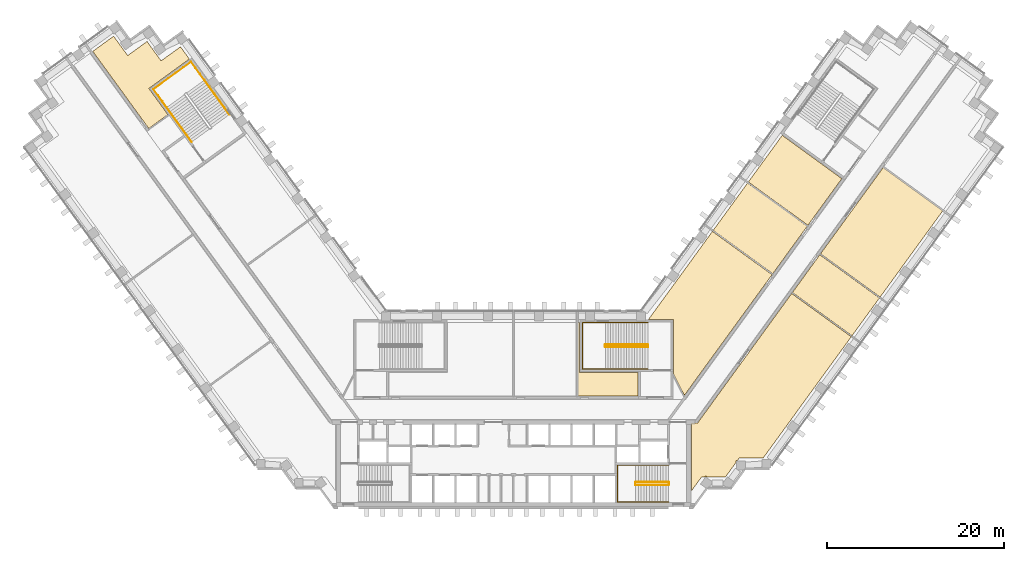
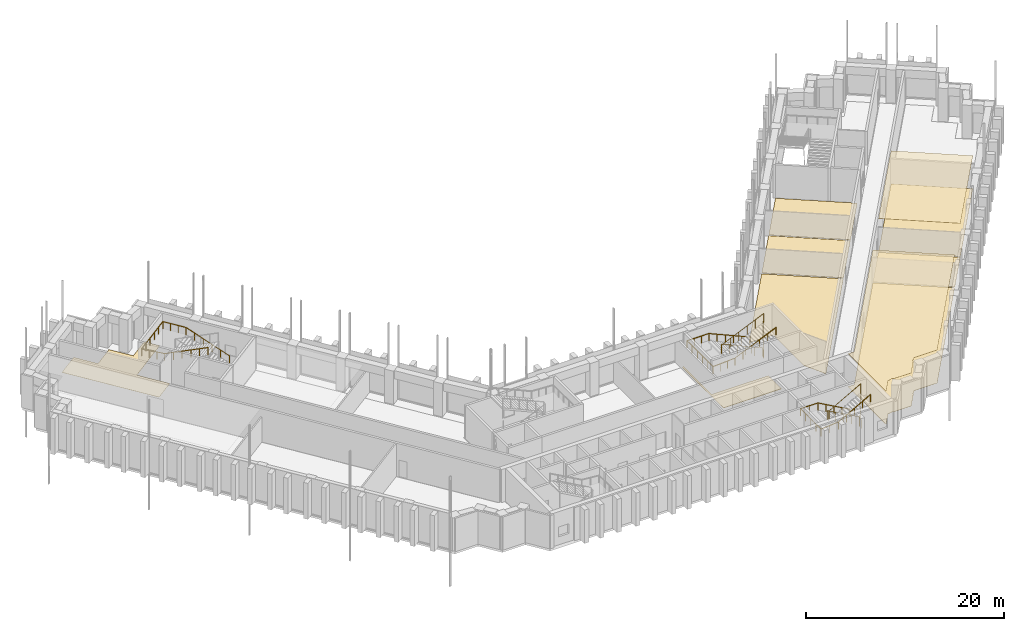
# One storey, part 17 of 18: 10 coverings, 5 railings.
"""IFC4 building model written with IfcOpenShell, lengths in metres."""

import ifcopenshell
import ifcopenshell.guid

model = None  # the IFC model being written
_history = None  # IfcOwnerHistory: only IFC2X3 demands one
_inside = {}  # id of a spatial element -> (the spatial element, [elements in it])
_under = {}  # id of a project, library or spatial element -> (it, [spatial elements below it])
_declared = {}  # id of a project -> (the project, [libraries it declares])
_typed = {}  # id of a type object -> (the type object, [elements of that type])
_made_of = {}  # id of a material, layer set ... -> (it, [elements and type objects made of it])


def new_model(schema):
    """Start an empty IFC model of exactly this schema.

    Asked for "IFC4X3", IfcOpenShell would pick the latest addendum, in which some entities
    have other attributes; the version numbers below select the first issue.
    IFC2X3 requires an IfcOwnerHistory on every rooted entity: one is made here for all.
    """
    global model, _history
    if schema == "IFC4X3":
        model = ifcopenshell.file(schema_version=(4, 3, 0, 0))
    else:
        model = ifcopenshell.file(schema=schema)
    _inside.clear()
    _under.clear()
    _declared.clear()
    _typed.clear()
    _made_of.clear()
    _history = None
    if model.schema == "IFC2X3":
        org = make("IfcOrganization", Name="unknown")
        user = make(
            "IfcPersonAndOrganization",
            ThePerson=make("IfcPerson", FamilyName="unknown"),
            TheOrganization=org,
        )
        app = make(
            "IfcApplication",
            ApplicationDeveloper=org,
            Version="unknown",
            ApplicationFullName="unknown",
            ApplicationIdentifier="unknown",
        )
        _history = make(
            "IfcOwnerHistory",
            OwningUser=user,
            OwningApplication=app,
            ChangeAction="ADDED",
            CreationDate=0,
        )
    return model


def make(cls, **values):
    """One entity of the class cls with the attributes given. An attribute that is None is left unset."""
    return model.create_entity(
        cls, **{name: value for name, value in values.items() if value is not None}
    )


def rooted(cls, **values):
    """An entity with a GlobalId (a new one), such as an element, a storey or a relation."""
    return make(cls, GlobalId=ifcopenshell.guid.new(), OwnerHistory=_history, **values)


def si_unit(unit_type, name, prefix=None):
    """IfcSIUnit, for example si_unit("LENGTHUNIT", "METRE", prefix="MILLI")."""
    return make("IfcSIUnit", UnitType=unit_type, Prefix=prefix, Name=name)


def assignment(units):
    """IfcUnitAssignment: the units of a project."""
    return None if units is None else make("IfcUnitAssignment", Units=units)


def point(xyz):
    """IfcCartesianPoint."""
    return None if xyz is None else make("IfcCartesianPoint", Coordinates=xyz)


def direction(xyz):
    """IfcDirection."""
    return None if xyz is None else make("IfcDirection", DirectionRatios=xyz)


def frame(location, z_axis=None, x_axis=None):
    """IfcAxis2Placement3D, a coordinate frame: its origin and axes. An axis left out is left unset."""
    return make(
        "IfcAxis2Placement3D",
        Location=point(location),
        Axis=direction(z_axis),
        RefDirection=direction(x_axis),
    )


def frame_2d(location, x_axis=None):
    """IfcAxis2Placement2D, a coordinate frame in the plane: its origin and x axis."""
    return make(
        "IfcAxis2Placement2D", Location=point(location), RefDirection=direction(x_axis)
    )


def origin():
    """The frame at (0, 0, 0) with its axes left unset."""
    return frame((0.0, 0.0, 0.0))


def origin_2d():
    """The frame at (0, 0) in the plane with its x axis left unset."""
    return frame_2d((0.0, 0.0))


def place(relative_to, where):
    """IfcLocalPlacement: puts the frame where relative to a parent placement (None: the world)."""
    return make(
        "IfcLocalPlacement", PlacementRelTo=relative_to, RelativePlacement=where
    )


def context(
    kind, dimensions, precision=None, world=None, true_north=None, identifier=None
):
    """IfcGeometricRepresentationContext, for example the 3D "Model" context."""
    return make(
        "IfcGeometricRepresentationContext",
        ContextIdentifier=identifier,
        ContextType=kind,
        CoordinateSpaceDimension=dimensions,
        Precision=precision,
        WorldCoordinateSystem=world,
        TrueNorth=true_north,
    )


def subcontext(parent, identifier, kind, view, scale=None):
    """IfcGeometricRepresentationSubContext, for example "Body" below "Model"."""
    return make(
        "IfcGeometricRepresentationSubContext",
        ContextIdentifier=identifier,
        ContextType=kind,
        ParentContext=parent,
        TargetScale=scale,
        TargetView=view,
    )


def project(units=None, contexts=None):
    """IfcProject with its units and contexts."""
    return rooted(
        "IfcProject",
        Name="project",
        RepresentationContexts=contexts,
        UnitsInContext=assignment(units),
    )


def spatial(cls, under=None, at=None, **own):
    """A site, building, storey or space (cls), placed at a placement, below another one or the project."""
    s = rooted(cls, ObjectPlacement=at, **own)
    if under is not None:
        _under.setdefault(under.id(), (under, []))[1].append(s)
    return s


def polyline(points):
    """IfcPolyline through the points."""
    return make("IfcPolyline", Points=[point(p) for p in points])


def profile(cls, at=None, kind="AREA", **sizes):
    """A parametric profile (cls). Its sizes go by their IFC names, for example OverallWidth=200.0."""
    return make(cls, ProfileType=kind, Position=at, **sizes)


def circle(**sizes):
    """IfcCircleProfileDef."""
    return profile("IfcCircleProfileDef", **sizes)


def outline(outer, holes=None, kind="AREA"):
    """IfcArbitraryClosedProfileDef: a profile drawn as a closed curve; with holes, ...WithVoids."""
    if holes is None:
        return make("IfcArbitraryClosedProfileDef", ProfileType=kind, OuterCurve=outer)
    return make(
        "IfcArbitraryProfileDefWithVoids",
        ProfileType=kind,
        OuterCurve=outer,
        InnerCurves=holes,
    )


def extrude(swept, where, along, depth):
    """IfcExtrudedAreaSolid: the profile swept, set in the frame where, extruded along a direction by depth."""
    return make(
        "IfcExtrudedAreaSolid",
        SweptArea=swept,
        Position=where,
        ExtrudedDirection=direction(along),
        Depth=depth,
    )


def shape(context_of_items, identifier, shape_type, items):
    """IfcShapeRepresentation: the items that make up one representation, for example the "Body"."""
    return make(
        "IfcShapeRepresentation",
        ContextOfItems=context_of_items,
        RepresentationIdentifier=identifier,
        RepresentationType=shape_type,
        Items=items,
    )


def material(Name=None, Category=None):
    """IfcMaterial."""
    return make("IfcMaterial", Name=Name, Category=Category)


def layer(
    of_material, thickness, ventilated=None, Name=None, Category=None, Priority=None
):
    """IfcMaterialLayer: one layer of a wall or slab, of a material (None: an air gap)."""
    return make(
        "IfcMaterialLayer",
        Material=of_material,
        LayerThickness=thickness,
        IsVentilated=ventilated,
        Name=Name,
        Category=Category,
        Priority=Priority,
    )


def layer_set(layers, Name=None):
    """IfcMaterialLayerSet."""
    return make("IfcMaterialLayerSet", MaterialLayers=layers, LayerSetName=Name)


def made_of(thing, what):
    """Note that an element or type object is made of a material, layer set ...; save() writes the relation."""
    if what is not None:
        _made_of.setdefault(what.id(), (what, []))[1].append(thing)
    return thing


def type_object(cls, material=None, **own):
    """A type object (cls), such as IfcWallType, which elements share."""
    return made_of(rooted(cls, **own), material)


def element(
    cls,
    number,
    at=None,
    inside=None,
    cuts=None,
    type_object=None,
    material=None,
    context=None,
    identifier="Body",
    shape_type=None,
    held_by="IfcProductDefinitionShape",
    body=None,
    shapes=None,
    **own,
):
    """One element of the class cls, such as IfcWall. Its Tag is "e" and its number.

    at: its placement. inside: the storey or other place that contains it. cuts: it is an
    opening in that element (IfcRelVoidsElement). A single representation is given by context,
    identifier, shape_type and body (its items); several are given by shapes. held_by: the class
    of the entity that holds the representations. save() writes the other relations.
    """
    e = rooted(cls, Tag="e%d" % number, ObjectPlacement=at, **own)
    if body is not None:
        shapes = [shape(context, identifier, shape_type, body)]
    if shapes is not None:
        e.Representation = make(held_by, Representations=shapes)
    if inside is not None:
        _inside.setdefault(inside.id(), (inside, []))[1].append(e)
    if cuts is not None:
        rooted(
            "IfcRelVoidsElement", RelatingBuildingElement=cuts, RelatedOpeningElement=e
        )
    if type_object is not None:
        _typed.setdefault(type_object.id(), (type_object, []))[1].append(e)
    return made_of(e, material)


def aggregate(whole, parts):
    """IfcRelAggregates: a whole, such as a stair, and the parts it consists of."""
    return rooted("IfcRelAggregates", RelatingObject=whole, RelatedObjects=parts)


def save(model, path):
    """Write the relations noted so far, then the file.

    IfcRelAggregates (storeys below a building ...), IfcRelContainedInSpatialStructure (elements
    in a storey), IfcRelDefinesByType, IfcRelAssociatesMaterial and IfcRelDeclares: one each for
    every whole, place, type object, material and project.
    """
    for whole, parts in _under.values():
        aggregate(whole, parts)
    for where, things in _inside.values():
        rooted(
            "IfcRelContainedInSpatialStructure",
            RelatedElements=things,
            RelatingStructure=where,
        )
    for kind, things in _typed.values():
        rooted("IfcRelDefinesByType", RelatedObjects=things, RelatingType=kind)
    for what, things in _made_of.values():
        rooted("IfcRelAssociatesMaterial", RelatedObjects=things, RelatingMaterial=what)
    for by, libraries in _declared.values():
        rooted("IfcRelDeclares", RelatingContext=by, RelatedDefinitions=libraries)
    model.write(path)


model = new_model("IFC4")

# Units and contexts
model_context = context("Model", 3, precision=1e-05, world=origin(), true_north=direction((0.0, 1.0)))
body_context = subcontext(model_context, "Body", "Model", "MODEL_VIEW")
ifc_project = project(units=[si_unit("LENGTHUNIT", "METRE"), si_unit("AREAUNIT", "SQUARE_METRE"), si_unit("VOLUMEUNIT", "CUBIC_METRE"), si_unit("PLANEANGLEUNIT", "RADIAN"), si_unit("MASSUNIT", "GRAM", prefix="KILO")], contexts=[model_context])

# Site, building, storey
site_placement = place(None, origin())
site = spatial("IfcSite", under=ifc_project, at=site_placement, CompositionType="ELEMENT")
building_placement = place(site_placement, origin())
building = spatial("IfcBuilding", under=site, at=building_placement, Name="Quipu Civic Tower", CompositionType="ELEMENT")
storey_placement = place(building_placement, frame((0.0, 0.0, 16.0)))
storey = spatial("IfcBuildingStorey", under=building, at=storey_placement, Name="L03", CompositionType="ELEMENT", Elevation=16.0)

# Coverings
ifc_material_1 = material(Name="Mineral fibre acoustic ceiling tile")
ifc_layer_1 = layer(ifc_material_1, 0.0400390625)
ifc_layer_set_1 = layer_set([ifc_layer_1], Name="Mineral fibre acoustic ceiling tile")
covering_type_1 = type_object("IfcCoveringType", Name="Acoustic ceiling tile 600 x 600", PredefinedType="CEILING", material=ifc_layer_set_1)
covering_1_placement = place(storey_placement, frame((0.0, 0.0, 4.06005859375)))
element("IfcCovering", 1, at=covering_1_placement, inside=storey, type_object=covering_type_1, Name="Acoustic ceiling tile 600 x 600", PredefinedType="CEILING", context=body_context, shape_type="SweptSolid", body=[
    extrude(outline(polyline([(34.639892578125, 17.56396484375), (41.698974609375, 27.281005859375), (48.422119140625, 22.39697265625), (41.364013671875, 12.679931640625), (34.639892578125, 17.56396484375)])), origin(), (0.0, 0.0, 1.0), 0.0400390625),
])
covering_2_placement = place(storey_placement, frame((0.0, 0.0, 4.06005859375)))
element("IfcCovering", 2, at=covering_2_placement, inside=storey, type_object=covering_type_1, Name="Acoustic ceiling tile 600 x 600", PredefinedType="CEILING", context=body_context, shape_type="SweptSolid", body=[
    extrude(outline(polyline([(20.070068359375, -9.195068359375), (20.070068359375, -1.52001953125), (20.77490234375, -1.51904296875), (31.383056640625, 13.08203125), (38.10693359375, 8.198974609375), (28.181884765625, -5.4609375), (25.48193359375, -5.4619140625), (25.282958984375, -5.737060546875), (25.174072265625, -5.737060546875), (25.1650390625, -5.737060546875), (25.155029296875, -5.739013671875), (25.14501953125, -5.740966796875), (25.135986328125, -5.7451171875), (25.126953125, -5.7490234375), (25.118896484375, -5.75390625), (25.111083984375, -5.760009765625), (25.10400390625, -5.76611328125), (25.096923828125, -5.77392578125), (25.091064453125, -5.781005859375), (25.0859375, -5.7900390625), (25.08203125, -5.799072265625), (25.0791015625, -5.80810546875), (25.075927734375, -5.81689453125), (25.074951171875, -5.826904296875), (25.073974609375, -5.8369140625), (25.073974609375, -6.02294921875), (23.89501953125, -7.64599609375), (21.89208984375, -7.64599609375), (21.739990234375, -7.535888671875), (21.73193359375, -7.530029296875), (21.722900390625, -7.52587890625), (21.714111328125, -7.52197265625), (21.705078125, -7.51904296875), (21.695068359375, -7.51806640625), (21.68505859375, -7.51708984375), (21.675048828125, -7.51708984375), (21.666015625, -7.51806640625), (21.656005859375, -7.52001953125), (21.64697265625, -7.52294921875), (21.637939453125, -7.527099609375), (21.62890625, -7.531005859375), (21.62109375, -7.537109375), (21.613037109375, -7.54296875), (21.60595703125, -7.550048828125), (21.60009765625, -7.55810546875), (21.535888671875, -7.64599609375), (21.196044921875, -7.64599609375), (20.070068359375, -9.195068359375)])), origin(), (0.0, 0.0, 1.0), 0.0400390625),
])
ifc_material_2 = material(Name="Carpet tile on raised access floor")
ifc_layer_2 = layer(ifc_material_2, 0.02001953125)
ifc_layer_set_2 = layer_set([ifc_layer_2], Name="Carpet tile on raised access floor")
covering_type_2 = type_object("IfcCoveringType", Name="Carpet tile floor finish 20", PredefinedType="FLOORING", material=ifc_layer_set_2)
covering_3_placement = place(storey_placement, origin())
element("IfcCovering", 3, at=covering_3_placement, inside=storey, type_object=covering_type_2, Name="Carpet tile floor finish 20", PredefinedType="FLOORING", context=body_context, shape_type="SweptSolid", body=[
    extrude(outline(polyline([(-47.471923828125, 40.39794921875), (-45.116943359375, 42.10791015625), (-43.531982421875, 39.925048828125), (-41.346923828125, 41.510986328125), (-39.760009765625, 39.326904296875), (-37.574951171875, 40.9130859375), (-36.570068359375, 39.530029296875), (-41.139892578125, 36.208984375), (-38.998046875, 33.260009765625), (-41.15087890625, 31.697021484375), (-47.471923828125, 40.39794921875)])), origin(), (0.0, 0.0, 1.0), 0.02001953125),
])
covering_4_placement = place(storey_placement, origin())
element("IfcCovering", 4, at=covering_4_placement, inside=storey, type_object=covering_type_2, Name="Carpet tile floor finish 20", PredefinedType="FLOORING", context=body_context, shape_type="SweptSolid", body=[
    extrude(outline(polyline([(34.639892578125, 17.56396484375), (41.698974609375, 27.281005859375), (48.422119140625, 22.39697265625), (41.364013671875, 12.679931640625), (34.639892578125, 17.56396484375)])), origin(), (0.0, 0.0, 1.0), 0.02001953125),
])
covering_5_placement = place(storey_placement, origin())
element("IfcCovering", 5, at=covering_5_placement, inside=storey, type_object=covering_type_2, Name="Carpet tile floor finish 20", PredefinedType="FLOORING", context=body_context, shape_type="SweptSolid", body=[
    extrude(outline(polyline([(15.238037109375, 10.169921875), (22.44189453125, 20.0849609375), (29.1650390625, 15.200927734375), (19.27197265625, 1.583984375), (18.070068359375, 3.94189453125), (18.070068359375, 10.1689453125), (15.238037109375, 10.169921875)])), origin(), (0.0, 0.0, 1.0), 0.02001953125),
])
covering_6_placement = place(storey_placement, origin())
element("IfcCovering", 6, at=covering_6_placement, inside=storey, type_object=covering_type_2, Name="Carpet tile floor finish 20", PredefinedType="FLOORING", context=body_context, shape_type="SweptSolid", body=[
    extrude(outline(polyline([(26.491943359375, 25.658935546875), (30.31494140625, 30.922119140625), (37.0380859375, 26.0380859375), (33.215087890625, 20.77490234375), (26.491943359375, 25.658935546875)])), origin(), (0.0, 0.0, 1.0), 0.02001953125),
])
covering_7_placement = place(storey_placement, origin())
element("IfcCovering", 7, at=covering_7_placement, inside=storey, type_object=covering_type_2, Name="Carpet tile floor finish 20", PredefinedType="FLOORING", context=body_context, shape_type="SweptSolid", body=[
    extrude(outline(polyline([(20.070068359375, -9.195068359375), (20.070068359375, -1.52001953125), (20.77490234375, -1.51904296875), (31.383056640625, 13.08203125), (38.10693359375, 8.198974609375), (28.181884765625, -5.4609375), (25.48193359375, -5.4619140625), (25.24609375, -5.787109375), (25.174072265625, -5.787109375), (25.1689453125, -5.787109375), (25.1650390625, -5.7880859375), (25.159912109375, -5.7890625), (25.155029296875, -5.791015625), (25.15087890625, -5.79296875), (25.14697265625, -5.794921875), (25.14306640625, -5.798095703125), (25.138916015625, -5.802001953125), (25.135986328125, -5.804931640625), (25.133056640625, -5.80908203125), (25.1298828125, -5.81298828125), (25.1279296875, -5.818115234375), (25.126953125, -5.822021484375), (25.125, -5.826904296875), (25.125, -5.83203125), (25.1240234375, -5.8369140625), (25.1240234375, -5.955078125), (23.89501953125, -7.64599609375), (21.806884765625, -7.64599609375), (21.7109375, -7.575927734375), (21.7060546875, -7.572998046875), (21.701904296875, -7.571044921875), (21.697998046875, -7.569091796875), (21.693115234375, -7.568115234375), (21.68798828125, -7.56689453125), (21.68310546875, -7.56689453125), (21.677978515625, -7.56689453125), (21.673095703125, -7.56689453125), (21.6689453125, -7.568115234375), (21.6640625, -7.570068359375), (21.658935546875, -7.572021484375), (21.655029296875, -7.573974609375), (21.65087890625, -7.576904296875), (21.64697265625, -7.580078125), (21.64404296875, -7.5830078125), (21.64111328125, -7.5869140625), (21.597900390625, -7.64599609375), (21.196044921875, -7.64599609375), (20.070068359375, -9.195068359375)])), origin(), (0.0, 0.0, 1.0), 0.02001953125),
])
ifc_material_3 = material(Name="Ceramic floor tile")
ifc_layer_3 = layer(ifc_material_3, 0.030029296875)
ifc_layer_set_3 = layer_set([ifc_layer_3], Name="Ceramic floor tile")
covering_type_3 = type_object("IfcCoveringType", Name="Ceramic tile floor finish 30", PredefinedType="FLOORING", material=ifc_layer_set_3)
covering_8_placement = place(storey_placement, origin())
element("IfcCovering", 8, at=covering_8_placement, inside=storey, type_object=covering_type_3, Name="Ceramic tile floor finish 30", PredefinedType="FLOORING", context=body_context, shape_type="SweptSolid", body=[
    extrude(outline(polyline([(22.52490234375, 20.197998046875), (26.408935546875, 25.5458984375), (33.132080078125, 20.662109375), (29.248046875, 15.31396484375), (22.52490234375, 20.197998046875)])), origin(), (0.0, 0.0, 1.0), 0.030029296875),
])
covering_9_placement = place(storey_placement, origin())
element("IfcCovering", 9, at=covering_9_placement, inside=storey, type_object=covering_type_3, Name="Ceramic tile floor finish 30", PredefinedType="FLOORING", context=body_context, shape_type="SweptSolid", body=[
    extrude(outline(polyline([(31.466064453125, 13.195068359375), (34.556884765625, 17.450927734375), (41.281005859375, 12.56689453125), (38.18994140625, 8.31201171875), (31.466064453125, 13.195068359375)])), origin(), (0.0, 0.0, 1.0), 0.030029296875),
])
ifc_material_4 = material(Name="Sealed cement screed")
ifc_layer_4 = layer(ifc_material_4, 0.050048828125)
ifc_layer_set_4 = layer_set([ifc_layer_4], Name="Sealed cement screed")
covering_type_4 = type_object("IfcCoveringType", Name="Sealed screed floor finish 50", PredefinedType="FLOORING", material=ifc_layer_set_4)
covering_10_placement = place(storey_placement, origin())
element("IfcCovering", 10, at=covering_10_placement, inside=storey, type_object=covering_type_4, Name="Sealed screed floor finish 50", PredefinedType="FLOORING", context=body_context, shape_type="SweptSolid", body=[
    extrude(outline(polyline([(7.26806640625, 1.52001953125), (7.26806640625, 9.830078125), (7.429931640625, 9.830078125), (7.429931640625, 4.180908203125), (14.030029296875, 4.179931640625), (14.030029296875, 1.52001953125), (7.26806640625, 1.52001953125)])), origin(), (0.0, 0.0, 1.0), 0.050048828125),
])

# Railings
ifc_material_5 = material(Name="Stainless steel", Category="steel")
railing_type_1 = type_object("IfcRailingType", Name="Stair guard 1100", PredefinedType="GUARDRAIL", material=ifc_material_5)
railing_1_placement = place(storey_placement, frame((17.5, -8.199951171875, 0.173095703125)))
element("IfcRailing", 11, at=railing_1_placement, inside=storey, type_object=railing_type_1, Name="Stair 2 guard", PredefinedType="GUARDRAIL", context=body_context, shape_type="SweptSolid", body=[
    extrude(circle(Radius=0.02392578125, at=origin_2d()), frame((0.0, 0.0, 1.076171875), z_axis=(-0.873133609054, 0.0, 0.487480974747), x_axis=(0.0, -1.0, 0.0)), (0.0, 0.0, 1.0), 4.260498046875),
    extrude(circle(Radius=0.02392578125, at=origin_2d()), frame((-3.719970703125, 0.0, 3.15283203125), z_axis=(-0.707106781187, -0.707106781187, 0.0), x_axis=(0.707106781187, -0.707106781187, 0.0)), (0.0, 0.0, 1.0), 0.07080078125),
    extrude(circle(Radius=0.02392578125, at=origin_2d()), frame((-3.77001953125, -0.050048828125, 3.15283203125), z_axis=(0.0, -1.0, 0.0), x_axis=(1.0, 0.0, 0.0)), (0.0, 0.0, 1.0), 0.25),
    extrude(circle(Radius=0.02392578125, at=origin_2d()), frame((-3.77001953125, -0.300048828125, 3.15283203125), z_axis=(0.267629722418, -0.267629722418, 0.925607186314), x_axis=(0.707106781187, 0.707106781187, 0.0)), (0.0, 0.0, 1.0), 0.18701171875),
    extrude(circle(Radius=0.02392578125, at=origin_2d()), frame((-3.719970703125, -0.35009765625, 3.326171875), z_axis=(0.873133609054, 0.0, 0.487480974747), x_axis=(0.0, 1.0, 0.0)), (0.0, 0.0, 1.0), 4.260498046875),
    extrude(circle(Radius=0.02392578125, at=origin_2d()), frame((0.0, -0.35009765625, 5.40283203125), z_axis=(0.011096637166, 0.066525693058, -0.997723006053), x_axis=(-0.986372223864, 0.164529134168, 0.0)), (0.0, 0.0, 1.0), 4.51025390625),
    extrude(circle(Radius=0.02392578125, at=origin_2d()), frame((0.050048828125, -0.050048828125, 0.90283203125), z_axis=(0.0, -1.0, 0.0), x_axis=(1.0, 0.0, 0.0)), (0.0, 0.0, 1.0), 0.25),
    extrude(circle(Radius=0.02099609375, at=origin_2d()), origin(), (0.0, 0.0, 1.0), 1.052001953125),
    extrude(circle(Radius=0.02099609375, at=origin_2d()), frame((-0.929931640625, 0.0, 0.519287109375)), (0.0, 0.0, 1.0), 1.052001953125),
    extrude(circle(Radius=0.02099609375, at=origin_2d()), frame((-1.85986328125, 0.0, 1.03857421875)), (0.0, 0.0, 1.0), 1.052001953125),
    extrude(circle(Radius=0.02099609375, at=origin_2d()), frame((-2.7900390625, 0.0, 1.5576171875)), (0.0, 0.0, 1.0), 1.052001953125),
    extrude(circle(Radius=0.02099609375, at=origin_2d()), frame((-3.719970703125, 0.0, 2.076904296875)), (0.0, 0.0, 1.0), 1.052001953125),
    extrude(circle(Radius=0.02099609375, at=origin_2d()), frame((-3.77001953125, -0.050048828125, 2.076904296875)), (0.0, 0.0, 1.0), 1.052001953125),
    extrude(circle(Radius=0.02099609375, at=origin_2d()), frame((-3.77001953125, -0.300048828125, 2.076904296875)), (0.0, 0.0, 1.0), 1.052001953125),
    extrude(circle(Radius=0.02099609375, at=origin_2d()), frame((-3.719970703125, -0.35009765625, 2.25)), (0.0, 0.0, 1.0), 1.052001953125),
    extrude(circle(Radius=0.02099609375, at=origin_2d()), frame((-2.7900390625, -0.35009765625, 2.769287109375)), (0.0, 0.0, 1.0), 1.052001953125),
    extrude(circle(Radius=0.02099609375, at=origin_2d()), frame((-1.85986328125, -0.35009765625, 3.28857421875)), (0.0, 0.0, 1.0), 1.052001953125),
    extrude(circle(Radius=0.02099609375, at=origin_2d()), frame((-0.929931640625, -0.35009765625, 3.8076171875)), (0.0, 0.0, 1.0), 1.052001953125),
    extrude(circle(Radius=0.02099609375, at=origin_2d()), frame((0.0, -0.35009765625, 4.326904296875)), (0.0, 0.0, 1.0), 1.052001953125),
    extrude(circle(Radius=0.02099609375, at=origin_2d()), frame((0.012451171875, -0.275146484375, 3.201904296875)), (0.0, 0.0, 1.0), 1.052001953125),
    extrude(circle(Radius=0.02099609375, at=origin_2d()), frame((0.02490234375, -0.2001953125, 2.076904296875)), (0.0, 0.0, 1.0), 1.052001953125),
    extrude(circle(Radius=0.02099609375, at=origin_2d()), frame((0.03759765625, -0.125, 0.951904296875)), (0.0, 0.0, 1.0), 1.052001953125),
    extrude(circle(Radius=0.02099609375, at=origin_2d()), frame((0.050048828125, -0.050048828125, -0.173095703125)), (0.0, 0.0, 1.0), 1.052001953125),
    extrude(circle(Radius=0.02099609375, at=origin_2d()), frame((0.050048828125, -0.300048828125, -0.173095703125)), (0.0, 0.0, 1.0), 1.052001953125),
])
railing_2_placement = place(storey_placement, frame((15.14990234375, 7.300048828125, 0.13232421875)))
element("IfcRailing", 12, at=railing_2_placement, inside=storey, type_object=railing_type_1, Name="Stair 4 guard", PredefinedType="GUARDRAIL", context=body_context, shape_type="SweptSolid", body=[
    extrude(circle(Radius=0.02392578125, at=origin_2d()), frame((0.0, 0.0, 1.076171875), z_axis=(-0.914909713927, 0.0, 0.403658538077), x_axis=(0.0, -1.0, 0.0)), (0.0, 0.0, 1.0), 5.24609375),
    extrude(circle(Radius=0.02392578125, at=origin_2d()), frame((-4.7998046875, 0.0, 3.19384765625), z_axis=(-0.707106781187, -0.707106781187, 0.0), x_axis=(0.707106781187, -0.707106781187, 0.0)), (0.0, 0.0, 1.0), 0.07080078125),
    extrude(circle(Radius=0.02392578125, at=origin_2d()), frame((-4.849853515625, -0.050048828125, 3.19384765625), z_axis=(0.0, -1.0, 0.0), x_axis=(1.0, 0.0, 0.0)), (0.0, 0.0, 1.0), 0.14990234375),
    extrude(circle(Radius=0.02392578125, at=origin_2d()), frame((-4.849853515625, -0.199951171875, 3.19384765625), z_axis=(0.333514590198, -0.333514590198, 0.881780038474), x_axis=(0.707106781187, 0.707106781187, 0.0)), (0.0, 0.0, 1.0), 0.150146484375),
    extrude(circle(Radius=0.02392578125, at=origin_2d()), frame((-4.7998046875, -0.25, 3.326171875), z_axis=(0.914909713927, 0.0, 0.403658538077), x_axis=(0.0, 1.0, 0.0)), (0.0, 0.0, 1.0), 5.24609375),
    extrude(circle(Radius=0.02392578125, at=origin_2d()), frame((0.0, -0.25, 5.44384765625), z_axis=(0.011110312959, 0.044387055188, -0.998952626643), x_axis=(-0.970072785993, 0.242814311512, 0.0)), (0.0, 0.0, 1.0), 4.504638671875),
    extrude(circle(Radius=0.02392578125, at=origin_2d()), frame((0.050048828125, -0.050048828125, 0.94384765625), z_axis=(0.0, -1.0, 0.0), x_axis=(1.0, 0.0, 0.0)), (0.0, 0.0, 1.0), 0.14990234375),
    extrude(circle(Radius=0.02099609375, at=origin_2d()), origin(), (0.0, 0.0, 1.0), 1.052001953125),
    extrude(circle(Radius=0.02099609375, at=origin_2d()), frame((-0.9599609375, 0.0, 0.423583984375)), (0.0, 0.0, 1.0), 1.052001953125),
    extrude(circle(Radius=0.02099609375, at=origin_2d()), frame((-1.919921875, 0.0, 0.84716796875)), (0.0, 0.0, 1.0), 1.052001953125),
    extrude(circle(Radius=0.02099609375, at=origin_2d()), frame((-2.8798828125, 0.0, 1.2705078125)), (0.0, 0.0, 1.0), 1.052001953125),
    extrude(circle(Radius=0.02099609375, at=origin_2d()), frame((-3.83984375, 0.0, 1.694091796875)), (0.0, 0.0, 1.0), 1.052001953125),
    extrude(circle(Radius=0.02099609375, at=origin_2d()), frame((-4.7998046875, 0.0, 2.11767578125)), (0.0, 0.0, 1.0), 1.052001953125),
    extrude(circle(Radius=0.02099609375, at=origin_2d()), frame((-4.849853515625, -0.050048828125, 2.11767578125)), (0.0, 0.0, 1.0), 1.052001953125),
    extrude(circle(Radius=0.02099609375, at=origin_2d()), frame((-4.849853515625, -0.199951171875, 2.11767578125)), (0.0, 0.0, 1.0), 1.052001953125),
    extrude(circle(Radius=0.02099609375, at=origin_2d()), frame((-4.7998046875, -0.25, 2.25)), (0.0, 0.0, 1.0), 1.052001953125),
    extrude(circle(Radius=0.02099609375, at=origin_2d()), frame((-3.83984375, -0.25, 2.673583984375)), (0.0, 0.0, 1.0), 1.052001953125),
    extrude(circle(Radius=0.02099609375, at=origin_2d()), frame((-2.8798828125, -0.25, 3.09716796875)), (0.0, 0.0, 1.0), 1.052001953125),
    extrude(circle(Radius=0.02099609375, at=origin_2d()), frame((-1.919921875, -0.25, 3.5205078125)), (0.0, 0.0, 1.0), 1.052001953125),
    extrude(circle(Radius=0.02099609375, at=origin_2d()), frame((-0.9599609375, -0.25, 3.944091796875)), (0.0, 0.0, 1.0), 1.052001953125),
    extrude(circle(Radius=0.02099609375, at=origin_2d()), frame((0.0, -0.25, 4.36767578125)), (0.0, 0.0, 1.0), 1.052001953125),
    extrude(circle(Radius=0.02099609375, at=origin_2d()), frame((0.012451171875, -0.199951171875, 3.24267578125)), (0.0, 0.0, 1.0), 1.052001953125),
    extrude(circle(Radius=0.02099609375, at=origin_2d()), frame((0.02490234375, -0.14990234375, 2.11767578125)), (0.0, 0.0, 1.0), 1.052001953125),
    extrude(circle(Radius=0.02099609375, at=origin_2d()), frame((0.03759765625, -0.10009765625, 0.99267578125)), (0.0, 0.0, 1.0), 1.052001953125),
    extrude(circle(Radius=0.02099609375, at=origin_2d()), frame((0.050048828125, -0.050048828125, -0.13232421875)), (0.0, 0.0, 1.0), 1.052001953125),
    extrude(circle(Radius=0.02099609375, at=origin_2d()), frame((0.050048828125, -0.199951171875, -0.13232421875)), (0.0, 0.0, 1.0), 1.052001953125),
])
ifc_material_6 = material(Name="Stainless steel", Category="steel")
railing_type_2 = type_object("IfcRailingType", Name="Stair handrail", PredefinedType="HANDRAIL", material=ifc_material_6)
railing_3_placement = place(storey_placement, frame((17.5, -6.300048828125, 0.173095703125)))
element("IfcRailing", 13, at=railing_3_placement, inside=storey, type_object=railing_type_2, Name="Stair 2 handrail", PredefinedType="HANDRAIL", context=body_context, shape_type="SweptSolid", body=[
    extrude(circle(Radius=0.02392578125, at=origin_2d()), frame((0.0, 0.0, 0.8759765625), z_axis=(-0.873133609054, 0.0, 0.487480974747), x_axis=(0.0, -1.0, 0.0)), (0.0, 0.0, 1.0), 4.260498046875),
    extrude(circle(Radius=0.02392578125, at=origin_2d()), frame((-3.719970703125, 0.0, 2.95263671875), z_axis=(-1.0, 0.0, 0.0), x_axis=(0.0, -1.0, 0.0)), (0.0, 0.0, 1.0), 2.030029296875),
    extrude(circle(Radius=0.02392578125, at=origin_2d()), frame((-5.75, 0.0, 2.95263671875), z_axis=(0.0, -1.0, 0.0), x_axis=(1.0, 0.0, 0.0)), (0.0, 0.0, 1.0), 4.14990234375),
    extrude(circle(Radius=0.02392578125, at=origin_2d()), frame((-5.75, -4.14990234375, 2.95263671875), z_axis=(0.996384422715, 0.0, 0.084959297138), x_axis=(0.0, 1.0, 0.0)), (0.0, 0.0, 1.0), 2.037353515625),
    extrude(circle(Radius=0.02392578125, at=origin_2d()), frame((-3.719970703125, -4.14990234375, 3.1259765625), z_axis=(0.873133609054, 0.0, 0.487480974747), x_axis=(0.0, 1.0, 0.0)), (0.0, 0.0, 1.0), 4.260498046875),
    extrude(circle(Radius=0.02099609375, at=origin_2d()), origin(), (0.0, 0.0, 1.0), 0.851806640625),
    extrude(circle(Radius=0.02099609375, at=origin_2d()), frame((-0.929931640625, 0.0, 0.519287109375)), (0.0, 0.0, 1.0), 0.851806640625),
    extrude(circle(Radius=0.02099609375, at=origin_2d()), frame((-1.85986328125, 0.0, 1.03857421875)), (0.0, 0.0, 1.0), 0.851806640625),
    extrude(circle(Radius=0.02099609375, at=origin_2d()), frame((-2.7900390625, 0.0, 1.5576171875)), (0.0, 0.0, 1.0), 0.851806640625),
    extrude(circle(Radius=0.02099609375, at=origin_2d()), frame((-3.719970703125, 0.0, 2.076904296875)), (0.0, 0.0, 1.0), 0.851806640625),
    extrude(circle(Radius=0.02099609375, at=origin_2d()), frame((-4.73486328125, 0.0, 2.076904296875)), (0.0, 0.0, 1.0), 0.851806640625),
    extrude(circle(Radius=0.02099609375, at=origin_2d()), frame((-5.75, 0.0, 2.076904296875)), (0.0, 0.0, 1.0), 0.851806640625),
    extrude(circle(Radius=0.02099609375, at=origin_2d()), frame((-5.75, -1.03759765625, 2.076904296875)), (0.0, 0.0, 1.0), 0.851806640625),
    extrude(circle(Radius=0.02099609375, at=origin_2d()), frame((-5.75, -2.074951171875, 2.076904296875)), (0.0, 0.0, 1.0), 0.851806640625),
    extrude(circle(Radius=0.02099609375, at=origin_2d()), frame((-5.75, -3.1123046875, 2.076904296875)), (0.0, 0.0, 1.0), 0.851806640625),
    extrude(circle(Radius=0.02099609375, at=origin_2d()), frame((-5.75, -4.14990234375, 2.076904296875)), (0.0, 0.0, 1.0), 0.851806640625),
    extrude(circle(Radius=0.02099609375, at=origin_2d()), frame((-4.73486328125, -4.14990234375, 2.16357421875)), (0.0, 0.0, 1.0), 0.851806640625),
    extrude(circle(Radius=0.02099609375, at=origin_2d()), frame((-3.719970703125, -4.14990234375, 2.25)), (0.0, 0.0, 1.0), 0.851806640625),
    extrude(circle(Radius=0.02099609375, at=origin_2d()), frame((-2.7900390625, -4.14990234375, 2.769287109375)), (0.0, 0.0, 1.0), 0.851806640625),
    extrude(circle(Radius=0.02099609375, at=origin_2d()), frame((-1.85986328125, -4.14990234375, 3.28857421875)), (0.0, 0.0, 1.0), 0.851806640625),
    extrude(circle(Radius=0.02099609375, at=origin_2d()), frame((-0.929931640625, -4.14990234375, 3.8076171875)), (0.0, 0.0, 1.0), 0.851806640625),
    extrude(circle(Radius=0.02099609375, at=origin_2d()), frame((0.0, -4.14990234375, 4.326904296875)), (0.0, 0.0, 1.0), 0.851806640625),
])
railing_4_placement = place(storey_placement, frame((15.14990234375, 9.800048828125, 0.13232421875)))
element("IfcRailing", 14, at=railing_4_placement, inside=storey, type_object=railing_type_2, Name="Stair 4 handrail", PredefinedType="HANDRAIL", context=body_context, shape_type="SweptSolid", body=[
    extrude(circle(Radius=0.02392578125, at=origin_2d()), frame((0.0, 0.0, 0.8759765625), z_axis=(-0.914909713927, 0.0, 0.403658538077), x_axis=(0.0, -1.0, 0.0)), (0.0, 0.0, 1.0), 5.24609375),
    extrude(circle(Radius=0.02392578125, at=origin_2d()), frame((-4.7998046875, 0.0, 2.99365234375), z_axis=(-1.0, 0.0, 0.0), x_axis=(0.0, -1.0, 0.0)), (0.0, 0.0, 1.0), 2.550048828125),
    extrude(circle(Radius=0.02392578125, at=origin_2d()), frame((-7.349853515625, 0.0, 2.99365234375), z_axis=(0.0, -1.0, 0.0), x_axis=(1.0, 0.0, 0.0)), (0.0, 0.0, 1.0), 5.25),
    extrude(circle(Radius=0.02392578125, at=origin_2d()), frame((-7.349853515625, -5.25, 2.99365234375), z_axis=(0.998656382309, 0.0, 0.051821135396), x_axis=(0.0, 1.0, 0.0)), (0.0, 0.0, 1.0), 2.553466796875),
    extrude(circle(Radius=0.02392578125, at=origin_2d()), frame((-4.7998046875, -5.25, 3.1259765625), z_axis=(0.914909713927, 0.0, 0.403658538077), x_axis=(0.0, 1.0, 0.0)), (0.0, 0.0, 1.0), 5.24609375),
    extrude(circle(Radius=0.02099609375, at=origin_2d()), origin(), (0.0, 0.0, 1.0), 0.851806640625),
    extrude(circle(Radius=0.02099609375, at=origin_2d()), frame((-0.9599609375, 0.0, 0.423583984375)), (0.0, 0.0, 1.0), 0.851806640625),
    extrude(circle(Radius=0.02099609375, at=origin_2d()), frame((-1.919921875, 0.0, 0.84716796875)), (0.0, 0.0, 1.0), 0.851806640625),
    extrude(circle(Radius=0.02099609375, at=origin_2d()), frame((-2.8798828125, 0.0, 1.2705078125)), (0.0, 0.0, 1.0), 0.851806640625),
    extrude(circle(Radius=0.02099609375, at=origin_2d()), frame((-3.83984375, 0.0, 1.694091796875)), (0.0, 0.0, 1.0), 0.851806640625),
    extrude(circle(Radius=0.02099609375, at=origin_2d()), frame((-4.7998046875, 0.0, 2.11767578125)), (0.0, 0.0, 1.0), 0.851806640625),
    extrude(circle(Radius=0.02099609375, at=origin_2d()), frame((-5.64990234375, 0.0, 2.11767578125)), (0.0, 0.0, 1.0), 0.851806640625),
    extrude(circle(Radius=0.02099609375, at=origin_2d()), frame((-6.499755859375, 0.0, 2.11767578125)), (0.0, 0.0, 1.0), 0.851806640625),
    extrude(circle(Radius=0.02099609375, at=origin_2d()), frame((-7.349853515625, 0.0, 2.11767578125)), (0.0, 0.0, 1.0), 0.851806640625),
    extrude(circle(Radius=0.02099609375, at=origin_2d()), frame((-7.349853515625, -1.050048828125, 2.11767578125)), (0.0, 0.0, 1.0), 0.851806640625),
    extrude(circle(Radius=0.02099609375, at=origin_2d()), frame((-7.349853515625, -2.10009765625, 2.11767578125)), (0.0, 0.0, 1.0), 0.851806640625),
    extrude(circle(Radius=0.02099609375, at=origin_2d()), frame((-7.349853515625, -3.14990234375, 2.11767578125)), (0.0, 0.0, 1.0), 0.851806640625),
    extrude(circle(Radius=0.02099609375, at=origin_2d()), frame((-7.349853515625, -4.199951171875, 2.11767578125)), (0.0, 0.0, 1.0), 0.851806640625),
    extrude(circle(Radius=0.02099609375, at=origin_2d()), frame((-7.349853515625, -5.25, 2.11767578125)), (0.0, 0.0, 1.0), 0.851806640625),
    extrude(circle(Radius=0.02099609375, at=origin_2d()), frame((-6.499755859375, -5.25, 2.161865234375)), (0.0, 0.0, 1.0), 0.851806640625),
    extrude(circle(Radius=0.02099609375, at=origin_2d()), frame((-5.64990234375, -5.25, 2.205810546875)), (0.0, 0.0, 1.0), 0.851806640625),
    extrude(circle(Radius=0.02099609375, at=origin_2d()), frame((-4.7998046875, -5.25, 2.25)), (0.0, 0.0, 1.0), 0.851806640625),
    extrude(circle(Radius=0.02099609375, at=origin_2d()), frame((-3.83984375, -5.25, 2.673583984375)), (0.0, 0.0, 1.0), 0.851806640625),
    extrude(circle(Radius=0.02099609375, at=origin_2d()), frame((-2.8798828125, -5.25, 3.09716796875)), (0.0, 0.0, 1.0), 0.851806640625),
    extrude(circle(Radius=0.02099609375, at=origin_2d()), frame((-1.919921875, -5.25, 3.5205078125)), (0.0, 0.0, 1.0), 0.851806640625),
    extrude(circle(Radius=0.02099609375, at=origin_2d()), frame((-0.9599609375, -5.25, 3.944091796875)), (0.0, 0.0, 1.0), 0.851806640625),
    extrude(circle(Radius=0.02099609375, at=origin_2d()), frame((0.0, -5.25, 4.36767578125)), (0.0, 0.0, 1.0), 0.851806640625),
])
railing_5_placement = place(storey_placement, frame((-32.056396484375, 33.266845703125, 0.13232421875)))
element("IfcRailing", 15, at=railing_5_placement, inside=storey, type_object=railing_type_2, Name="Stair 6 handrail", PredefinedType="HANDRAIL", context=body_context, shape_type="SweptSolid", body=[
    extrude(circle(Radius=0.02392578125, at=origin_2d()), frame((0.0, 0.0, 0.8759765625), z_axis=(-0.537761686143, 0.740190150552, 0.403647011561), x_axis=(-0.809026317077, -0.587772420479, 0.0)), (0.0, 0.0, 1.0), 5.246337890625),
    extrude(circle(Radius=0.02392578125, at=origin_2d()), frame((-2.8212890625, 3.88330078125, 2.99365234375), z_axis=(-0.587767432704, 0.809029940764, 0.0), x_axis=(-0.809029940764, -0.587767432704, 0.0)), (0.0, 0.0, 1.0), 2.550048828125),
    extrude(circle(Radius=0.02392578125, at=origin_2d()), frame((-4.320068359375, 5.9462890625, 2.99365234375), z_axis=(-0.809009483706, -0.587795589702, 0.0), x_axis=(0.587795589702, -0.809009483706, 0.0)), (0.0, 0.0, 1.0), 5.25),
    extrude(circle(Radius=0.02392578125, at=origin_2d()), frame((-8.5673828125, 2.8603515625, 2.99365234375), z_axis=(0.586977638712, -0.807942832239, 0.051823078707), x_axis=(0.809029940764, 0.587767432704, 0.0)), (0.0, 0.0, 1.0), 2.553466796875),
    extrude(circle(Radius=0.02392578125, at=origin_2d()), frame((-7.068603515625, 0.79736328125, 3.1259765625), z_axis=(0.537761686143, -0.740190150552, 0.403647011561), x_axis=(0.809026317077, 0.587772420479, 0.0)), (0.0, 0.0, 1.0), 5.246337890625),
    extrude(circle(Radius=0.02099609375, at=origin_2d()), origin(), (0.0, 0.0, 1.0), 0.851806640625),
    extrude(circle(Radius=0.02099609375, at=origin_2d()), frame((-0.564208984375, 0.776611328125, 0.423583984375)), (0.0, 0.0, 1.0), 0.851806640625),
    extrude(circle(Radius=0.02099609375, at=origin_2d()), frame((-1.12841796875, 1.55322265625, 0.84716796875)), (0.0, 0.0, 1.0), 0.851806640625),
    extrude(circle(Radius=0.02099609375, at=origin_2d()), frame((-1.69287109375, 2.330078125, 1.2705078125)), (0.0, 0.0, 1.0), 0.851806640625),
    extrude(circle(Radius=0.02099609375, at=origin_2d()), frame((-2.257080078125, 3.106689453125, 1.694091796875)), (0.0, 0.0, 1.0), 0.851806640625),
    extrude(circle(Radius=0.02099609375, at=origin_2d()), frame((-2.8212890625, 3.88330078125, 2.11767578125)), (0.0, 0.0, 1.0), 0.851806640625),
    extrude(circle(Radius=0.02099609375, at=origin_2d()), frame((-3.32080078125, 4.571044921875, 2.11767578125)), (0.0, 0.0, 1.0), 0.851806640625),
    extrude(circle(Radius=0.02099609375, at=origin_2d()), frame((-3.820556640625, 5.258544921875, 2.11767578125)), (0.0, 0.0, 1.0), 0.851806640625),
    extrude(circle(Radius=0.02099609375, at=origin_2d()), frame((-4.320068359375, 5.9462890625, 2.11767578125)), (0.0, 0.0, 1.0), 0.851806640625),
    extrude(circle(Radius=0.02099609375, at=origin_2d()), frame((-5.16943359375, 5.3291015625, 2.11767578125)), (0.0, 0.0, 1.0), 0.851806640625),
    extrude(circle(Radius=0.02099609375, at=origin_2d()), frame((-6.01904296875, 4.7119140625, 2.11767578125)), (0.0, 0.0, 1.0), 0.851806640625),
    extrude(circle(Radius=0.02099609375, at=origin_2d()), frame((-6.868408203125, 4.0947265625, 2.11767578125)), (0.0, 0.0, 1.0), 0.851806640625),
    extrude(circle(Radius=0.02099609375, at=origin_2d()), frame((-7.718017578125, 3.4775390625, 2.11767578125)), (0.0, 0.0, 1.0), 0.851806640625),
    extrude(circle(Radius=0.02099609375, at=origin_2d()), frame((-8.5673828125, 2.8603515625, 2.11767578125)), (0.0, 0.0, 1.0), 0.851806640625),
    extrude(circle(Radius=0.02099609375, at=origin_2d()), frame((-8.06787109375, 2.172607421875, 2.161865234375)), (0.0, 0.0, 1.0), 0.851806640625),
    extrude(circle(Radius=0.02099609375, at=origin_2d()), frame((-7.568115234375, 1.485107421875, 2.205810546875)), (0.0, 0.0, 1.0), 0.851806640625),
    extrude(circle(Radius=0.02099609375, at=origin_2d()), frame((-7.068603515625, 0.79736328125, 2.25)), (0.0, 0.0, 1.0), 0.851806640625),
    extrude(circle(Radius=0.02099609375, at=origin_2d()), frame((-6.50439453125, 0.020751953125, 2.673583984375)), (0.0, 0.0, 1.0), 0.851806640625),
    extrude(circle(Radius=0.02099609375, at=origin_2d()), frame((-5.940185546875, -0.755859375, 3.09716796875)), (0.0, 0.0, 1.0), 0.851806640625),
    extrude(circle(Radius=0.02099609375, at=origin_2d()), frame((-5.375732421875, -1.53271484375, 3.5205078125)), (0.0, 0.0, 1.0), 0.851806640625),
    extrude(circle(Radius=0.02099609375, at=origin_2d()), frame((-4.8115234375, -2.309326171875, 3.944091796875)), (0.0, 0.0, 1.0), 0.851806640625),
    extrude(circle(Radius=0.02099609375, at=origin_2d()), frame((-4.247314453125, -3.0859375, 4.36767578125)), (0.0, 0.0, 1.0), 0.851806640625),
])

save(model, "model.ifc")
